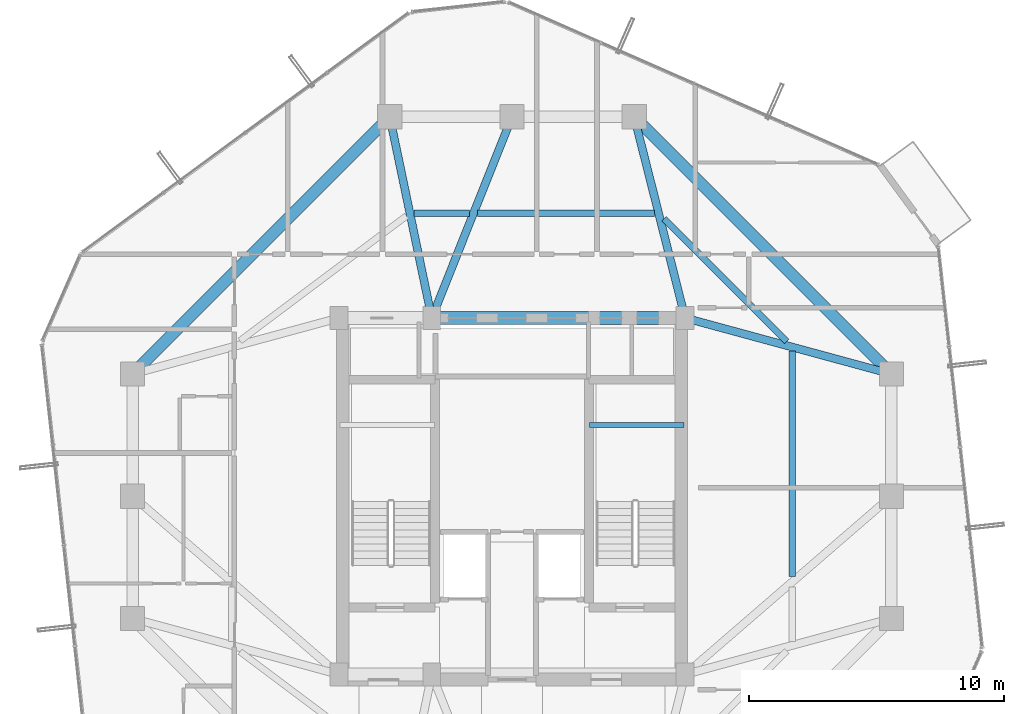
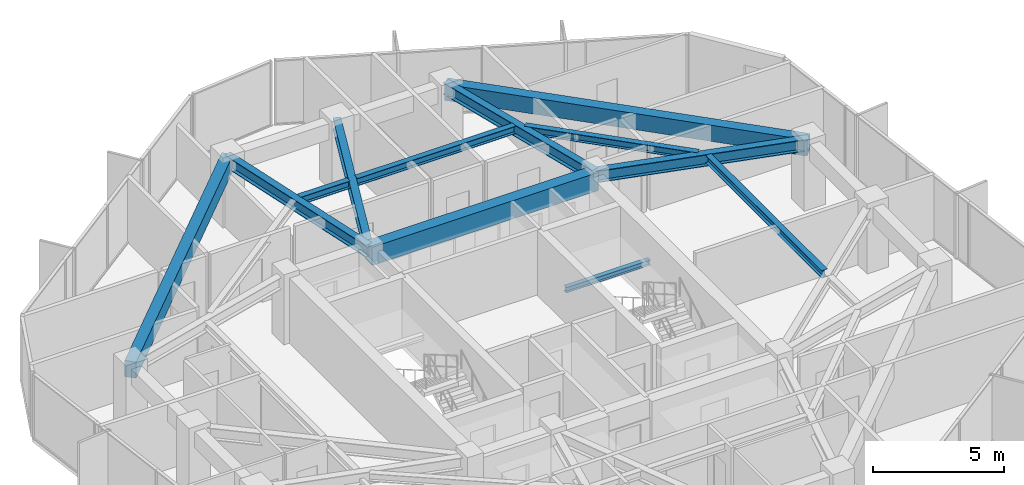
# One storey, part 16 of 32: 12 beams.
"""IFC4 building model written with IfcOpenShell, lengths in metres."""

from ifc_helpers import new_model, si_unit, direction, frame, origin, origin_2d, place, context, subcontext, project, spatial, rectangle, i_section, extrude, material, material_profile, profile_set, type_object, element, save


model = new_model("IFC4")

# Units and contexts
model_context = context("Model", 3, precision=1e-05, world=origin(), true_north=direction((0.0, 1.0)))
body_context = subcontext(model_context, "Body", "Model", "MODEL_VIEW")
ifc_project = project(units=[si_unit("LENGTHUNIT", "METRE"), si_unit("AREAUNIT", "SQUARE_METRE"), si_unit("VOLUMEUNIT", "CUBIC_METRE"), si_unit("PLANEANGLEUNIT", "RADIAN"), si_unit("MASSUNIT", "GRAM", prefix="KILO")], contexts=[model_context])

# Site, building, storey
site_placement = place(None, origin())
site = spatial("IfcSite", under=ifc_project, at=site_placement, CompositionType="ELEMENT")
building_placement = place(site_placement, origin())
building = spatial("IfcBuilding", under=site, at=building_placement, Name="Veraguas Prism Commons", CompositionType="ELEMENT")
storey_placement = place(building_placement, frame((0.0, 0.0, 185.35009765625)))
storey = spatial("IfcBuildingStorey", under=building, at=storey_placement, Name="L52", CompositionType="ELEMENT", Elevation=185.35009765625)

# Beams
ifc_material_1 = material(Name="Concrete C50/60", Category="concrete")
ifc_material_profile_1 = material_profile(ifc_material_1, rectangle(XDim=0.5, YDim=0.85009765625, at=origin_2d()), Name="RC500X850")
ifc_profile_set_1 = profile_set([ifc_material_profile_1], Name="Concrete C50/60")
beam_type_1 = type_object("IfcBeamType", Name="Core Coupling Beam RC 500x850", PredefinedType="BEAM", material=ifc_profile_set_1)
beam_1_placement = place(storey_placement, frame((20.85009765625, 31.0, 2.58984375), z_axis=(1.0, 0.0, 0.0), x_axis=(0.0, 1.0, 0.0)))
element("IfcBeam", 1, at=beam_1_placement, inside=storey, type_object=beam_type_1, Name="Core Coupling Beam L52-CRN2", PredefinedType="BEAM", context=body_context, shape_type="SweptSolid", body=[
    extrude(rectangle(XDim=0.5, YDim=0.85009765625, at=origin_2d()), origin(), (0.0, 0.0, 1.0), 9.949951171875),
])
ifc_material_profile_2 = material_profile(ifc_material_1, rectangle(XDim=0.449951171875, YDim=0.75, at=origin_2d()), Name="RC450X750")
ifc_profile_set_2 = profile_set([ifc_material_profile_2], Name="Concrete C50/60")
beam_type_2 = type_object("IfcBeamType", Name="Perimeter Spandrel Upper RC 450x750", PredefinedType="SPANDREL", material=ifc_profile_set_2)
for number, where, z_axis, x_axis, name in (
    (2, (38.89990234375, 28.800048828125, 2.639892578125), (-0.707106781187, 0.707106781187, 0.0), (-0.707106781187, -0.707106781187, 0.0), "Perimeter Spandrel Beam L52-SP03"),
    (3, (19.199951171875, 38.89990234375, 2.639892578125), (-0.707106781187, -0.707106781187, 0.0), (0.707106781187, -0.707106781187, 0.0), "Perimeter Spandrel Beam L52-SP06"),
):
    element("IfcBeam", number, at=place(storey_placement, frame(where, z_axis=z_axis, x_axis=x_axis)), inside=storey, type_object=beam_type_2, Name=name, PredefinedType="SPANDREL", context=body_context, shape_type="SweptSolid", body=[
        extrude(rectangle(XDim=0.449951171875, YDim=0.75, at=origin_2d()), origin(), (0.0, 0.0, 1.0), 14.283447265625),
    ])
ifc_material_2 = material(Name="Steel ASTM A992 Grade 50", Category="steel")
ifc_material_profile_3 = material_profile(ifc_material_2, i_section(OverallWidth=0.202880859375, OverallDepth=0.251953125, WebThickness=0.008056640625, FlangeThickness=0.013427734375, at=origin_2d()), Name="W250X58")
ifc_profile_set_3 = profile_set([ifc_material_profile_3], Name="Steel ASTM A992 Grade 50")
beam_type_3 = type_object("IfcBeamType", Name="Structural Opening Lintel W250x58", PredefinedType="LINTEL", material=ifc_profile_set_3)
beam_2_placement = place(storey_placement, frame((27.050048828125, 26.800048828125, 1.298828125), z_axis=(1.0, 0.0, 0.0), x_axis=(0.0, 1.0, 0.0)))
element("IfcBeam", 4, at=beam_2_placement, inside=storey, type_object=beam_type_3, Name="Stair ST-02 Half-Landing Support Beam L52-1", PredefinedType="LINTEL", context=body_context, shape_type="SweptSolid", body=[
    extrude(i_section(OverallWidth=0.202880859375, OverallDepth=0.251953125, WebThickness=0.008056640625, FlangeThickness=0.013427734375, at=origin_2d()), origin(), (0.0, 0.0, 1.0), 3.699951171875),
])
ifc_material_profile_4 = material_profile(ifc_material_2, i_section(OverallWidth=0.25390625, OverallDepth=0.35302734375, WebThickness=0.009521484375, FlangeThickness=0.016357421875, at=origin_2d()), Name="W360X91")
ifc_profile_set_4 = profile_set([ifc_material_profile_4], Name="Steel ASTM A992 Grade 50")
beam_type_4 = type_object("IfcBeamType", Name="Upper Floor Joist W360x91", PredefinedType="JOIST", material=ifc_profile_set_4)
beam_3_placement = place(storey_placement, frame((35.011962890625, 20.843017578125, 2.83837890625), z_axis=(0.0, 1.0, 0.0), x_axis=(-1.0, 0.0, 0.0)))
element("IfcBeam", 5, at=beam_3_placement, inside=storey, type_object=beam_type_4, Name="Composite Floor Joist L52-JS02", PredefinedType="JOIST", context=body_context, shape_type="SweptSolid", body=[
    extrude(i_section(OverallWidth=0.25390625, OverallDepth=0.35302734375, WebThickness=0.009521484375, FlangeThickness=0.016357421875, at=origin_2d()), origin(), (0.0, 0.0, 1.0), 8.85400390625),
])
beam_4_placement = place(storey_placement, frame((34.793701171875, 30.074462890625, 2.83837890625), z_axis=(-0.707124682851, 0.707088879069, 0.0), x_axis=(-0.707088879069, -0.707124682851, 0.0)))
element("IfcBeam", 6, at=beam_4_placement, inside=storey, type_object=beam_type_4, Name="Composite Floor Joist L52-JS03", PredefinedType="JOIST", context=body_context, shape_type="SweptSolid", body=[
    extrude(i_section(OverallWidth=0.25390625, OverallDepth=0.35302734375, WebThickness=0.009521484375, FlangeThickness=0.016357421875, at=origin_2d()), origin(), (0.0, 0.0, 1.0), 6.81884765625),
])
beam_5_placement = place(storey_placement, frame((29.601806640625, 35.10791015625, 2.83837890625), z_axis=(-1.0, 0.0, 0.0), x_axis=(0.0, -1.0, 0.0)))
element("IfcBeam", 7, at=beam_5_placement, inside=storey, type_object=beam_type_4, Name="Composite Floor Joist L52-JS04", PredefinedType="JOIST", context=body_context, shape_type="SweptSolid", body=[
    extrude(i_section(OverallWidth=0.25390625, OverallDepth=0.35302734375, WebThickness=0.009521484375, FlangeThickness=0.016357421875, at=origin_2d()), origin(), (0.0, 0.0, 1.0), 6.948486328125),
])
beam_6_placement = place(storey_placement, frame((22.32275390625, 35.10791015625, 2.83837890625), z_axis=(-1.0, 0.0, 0.0), x_axis=(0.0, -1.0, 0.0)))
element("IfcBeam", 8, at=beam_6_placement, inside=storey, type_object=beam_type_4, Name="Composite Floor Joist L52-JS05", PredefinedType="JOIST", context=body_context, shape_type="SweptSolid", body=[
    extrude(i_section(OverallWidth=0.25390625, OverallDepth=0.35302734375, WebThickness=0.009521484375, FlangeThickness=0.016357421875, at=origin_2d()), origin(), (0.0, 0.0, 1.0), 2.174072265625),
])
ifc_material_profile_5 = material_profile(ifc_material_2, i_section(OverallWidth=0.31103515625, OverallDepth=0.5458984375, WebThickness=0.0146484375, FlangeThickness=0.023681640625, at=origin_2d()), Name="W530X165")
ifc_profile_set_5 = profile_set([ifc_material_profile_5], Name="Steel ASTM A992 Grade 50")
beam_type_5 = type_object("IfcBeamType", Name="Zone 3 Radial Girder W530x165", PredefinedType="BEAM", material=ifc_profile_set_5)
beam_7_placement = place(storey_placement, frame((38.89990234375, 28.800048828125, 2.741943359375), z_axis=(-0.965038506703, 0.262108146725, 0.0), x_axis=(-0.262108146725, -0.965038506703, 0.0)))
element("IfcBeam", 9, at=beam_7_placement, inside=storey, type_object=beam_type_5, Name="Radial Floor Girder L52-RD03", PredefinedType="BEAM", context=body_context, shape_type="SweptSolid", body=[
    extrude(i_section(OverallWidth=0.31103515625, OverallDepth=0.5458984375, WebThickness=0.0146484375, FlangeThickness=0.023681640625, at=origin_2d()), origin(), (0.0, 0.0, 1.0), 8.393310546875),
])
beam_8_placement = place(storey_placement, frame((28.800048828125, 38.89990234375, 2.741943359375), z_axis=(0.245424718066, -0.969415652732, 0.0), x_axis=(0.969415652732, 0.245424718066, 0.0)))
element("IfcBeam", 10, at=beam_8_placement, inside=storey, type_object=beam_type_5, Name="Radial Floor Girder L52-RD04", PredefinedType="BEAM", context=body_context, shape_type="SweptSolid", body=[
    extrude(i_section(OverallWidth=0.31103515625, OverallDepth=0.5458984375, WebThickness=0.0146484375, FlangeThickness=0.023681640625, at=origin_2d()), origin(), (0.0, 0.0, 1.0), 8.149169921875),
])
beam_9_placement = place(storey_placement, frame((24.0, 38.89990234375, 2.741943359375), z_axis=(-0.370370877803, -0.928883960931, 0.0), x_axis=(0.928883960931, -0.370370877803, 0.0)))
element("IfcBeam", 11, at=beam_9_placement, inside=storey, type_object=beam_type_5, Name="Radial Floor Girder L52-RD05", PredefinedType="BEAM", context=body_context, shape_type="SweptSolid", body=[
    extrude(i_section(OverallWidth=0.31103515625, OverallDepth=0.5458984375, WebThickness=0.0146484375, FlangeThickness=0.023681640625, at=origin_2d()), origin(), (0.0, 0.0, 1.0), 8.504638671875),
])
beam_10_placement = place(storey_placement, frame((19.199951171875, 38.89990234375, 2.741943359375), z_axis=(0.204468851168, -0.978873070884, 0.0), x_axis=(0.978873070884, 0.204468851168, 0.0)))
element("IfcBeam", 12, at=beam_10_placement, inside=storey, type_object=beam_type_5, Name="Radial Floor Girder L52-RD06", PredefinedType="BEAM", context=body_context, shape_type="SweptSolid", body=[
    extrude(i_section(OverallWidth=0.31103515625, OverallDepth=0.5458984375, WebThickness=0.0146484375, FlangeThickness=0.023681640625, at=origin_2d()), origin(), (0.0, 0.0, 1.0), 8.0703125),
])

save(model, "model.ifc")
